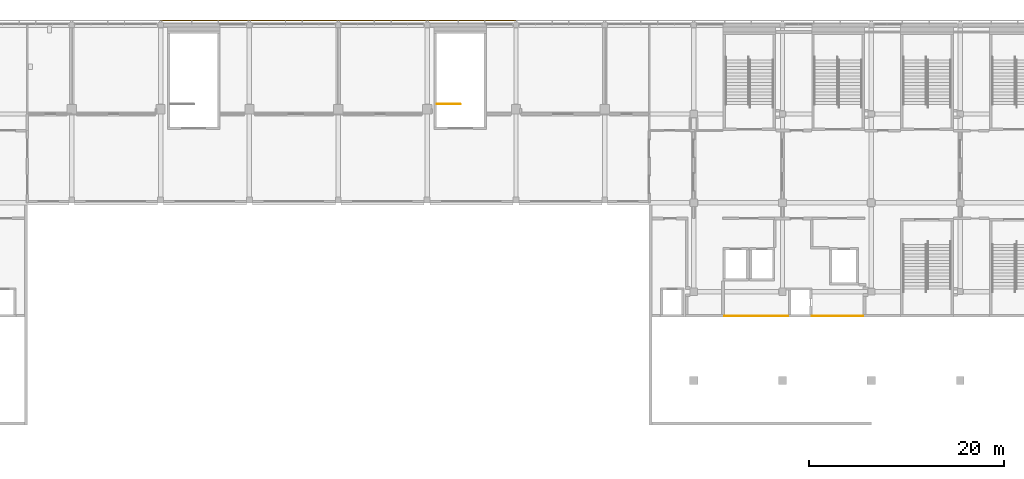
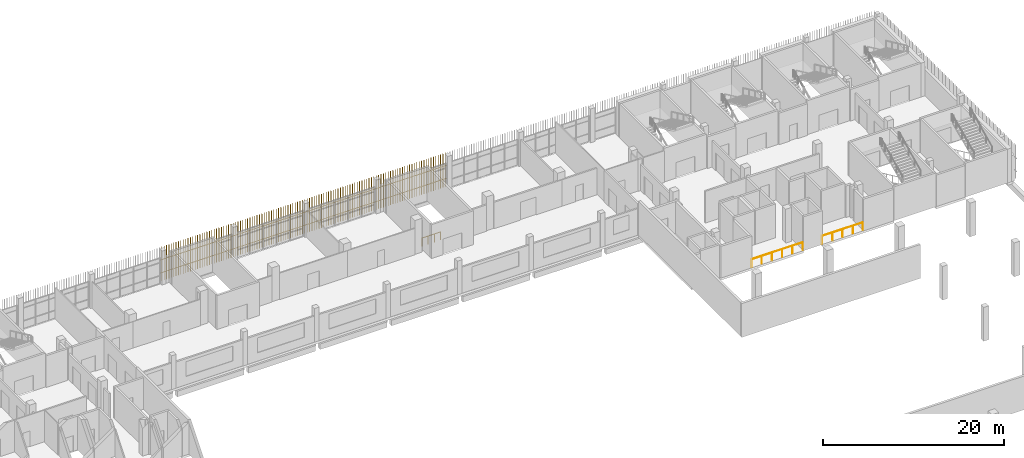
# One storey, part 97 of 104: 4 shading devices, 3 railings.
"""IFC4 building model written with IfcOpenShell, lengths in metres."""

from ifc_helpers import new_model, si_unit, direction, frame, origin, origin_2d, place, context, subcontext, project, spatial, rectangle, circle, extrude, material, type_object, element, save


model = new_model("IFC4")

# Units and contexts
model_context = context("Model", 3, precision=1e-05, world=origin(), true_north=direction((0.0, 1.0)))
body_context = subcontext(model_context, "Body", "Model", "MODEL_VIEW")
ifc_project = project(units=[si_unit("LENGTHUNIT", "METRE"), si_unit("AREAUNIT", "SQUARE_METRE"), si_unit("VOLUMEUNIT", "CUBIC_METRE"), si_unit("PLANEANGLEUNIT", "RADIAN"), si_unit("MASSUNIT", "GRAM", prefix="KILO")], contexts=[model_context])

# Site, building, storey
site_placement = place(None, origin())
site = spatial("IfcSite", under=ifc_project, at=site_placement, CompositionType="ELEMENT")
building_placement = place(site_placement, origin())
building = spatial("IfcBuilding", under=site, at=building_placement, Name="Shirokan Park Arena", CompositionType="ELEMENT")
storey_placement = place(building_placement, frame((0.0, 0.0, 10.919921875)))
storey = spatial("IfcBuildingStorey", under=building, at=storey_placement, Name="L02", CompositionType="ELEMENT", Elevation=10.919921875)

# Railings
ifc_material_1 = material(Name="Stainless steel", Category="steel")
railing_type_1 = type_object("IfcRailingType", Name="Concourse edge guard 1100", PredefinedType="GUARDRAIL", material=ifc_material_1)
railing_1_placement = place(storey_placement, frame((118.8701171875, 79.39990234375, 0.0)))
element("IfcRailing", 1, at=railing_1_placement, inside=storey, type_object=railing_type_1, Name="Edge guard L02 8", PredefinedType="GUARDRAIL", context=body_context, shape_type="SweptSolid", body=[
    extrude(circle(Radius=0.02490234375, at=origin_2d()), frame((0.0, 0.0, 1.0771484375), z_axis=(-1.0, 0.0, 0.0), x_axis=(0.0, -1.0, 0.0)), (0.0, 0.0, 1.0), 6.53271484375),
    extrude(circle(Radius=0.02490234375, at=origin_2d()), origin(), (0.0, 0.0, 1.0), 1.052001953125),
    extrude(circle(Radius=0.02490234375, at=origin_2d()), frame((-1.306640625, 0.0, 0.0)), (0.0, 0.0, 1.0), 1.052001953125),
    extrude(circle(Radius=0.02490234375, at=origin_2d()), frame((-2.613037109375, 0.0, 0.0)), (0.0, 0.0, 1.0), 1.052001953125),
    extrude(circle(Radius=0.02490234375, at=origin_2d()), frame((-3.919677734375, 0.0, 0.0)), (0.0, 0.0, 1.0), 1.052001953125),
    extrude(circle(Radius=0.02490234375, at=origin_2d()), frame((-5.22607421875, 0.0, 0.0)), (0.0, 0.0, 1.0), 1.052001953125),
    extrude(circle(Radius=0.02490234375, at=origin_2d()), frame((-6.53271484375, 0.0, 0.0)), (0.0, 0.0, 1.0), 1.052001953125),
])
railing_2_placement = place(storey_placement, frame((126.5625, 79.39990234375, 0.0)))
element("IfcRailing", 2, at=railing_2_placement, inside=storey, type_object=railing_type_1, Name="Edge guard L02 10", PredefinedType="GUARDRAIL", context=body_context, shape_type="SweptSolid", body=[
    extrude(circle(Radius=0.02490234375, at=origin_2d()), frame((0.0, 0.0, 1.0771484375), z_axis=(-1.0, 0.0, 0.0), x_axis=(0.0, -1.0, 0.0)), (0.0, 0.0, 1.0), 5.232421875),
    extrude(circle(Radius=0.02490234375, at=origin_2d()), origin(), (0.0, 0.0, 1.0), 1.052001953125),
    extrude(circle(Radius=0.02490234375, at=origin_2d()), frame((-1.30810546875, 0.0, 0.0)), (0.0, 0.0, 1.0), 1.052001953125),
    extrude(circle(Radius=0.02490234375, at=origin_2d()), frame((-2.6162109375, 0.0, 0.0)), (0.0, 0.0, 1.0), 1.052001953125),
    extrude(circle(Radius=0.02490234375, at=origin_2d()), frame((-3.92431640625, 0.0, 0.0)), (0.0, 0.0, 1.0), 1.052001953125),
    extrude(circle(Radius=0.02490234375, at=origin_2d()), frame((-5.232421875, 0.0, 0.0)), (0.0, 0.0, 1.0), 1.052001953125),
])
railing_type_2 = type_object("IfcRailingType", Name="Stair well guard 1100", PredefinedType="GUARDRAIL", material=ifc_material_1)
railing_3_placement = place(storey_placement, frame((82.89990234375, 101.10009765625, 0.0)))
element("IfcRailing", 3, at=railing_3_placement, inside=storey, type_object=railing_type_2, Name="Guard Entrance Stair E4.2 L02", PredefinedType="GUARDRAIL", context=body_context, shape_type="SweptSolid", body=[
    extrude(circle(Radius=0.02490234375, at=origin_2d()), frame((0.0, 0.0, 1.0771484375), z_axis=(1.0, 0.0, 0.0), x_axis=(0.0, 1.0, 0.0)), (0.0, 0.0, 1.0), 2.400146484375),
    extrude(circle(Radius=0.02490234375, at=origin_2d()), origin(), (0.0, 0.0, 1.0), 1.052001953125),
    extrude(circle(Radius=0.02490234375, at=origin_2d()), frame((0.800048828125, 0.0, 0.0)), (0.0, 0.0, 1.0), 1.052001953125),
    extrude(circle(Radius=0.02490234375, at=origin_2d()), frame((1.60009765625, 0.0, 0.0)), (0.0, 0.0, 1.0), 1.052001953125),
    extrude(circle(Radius=0.02490234375, at=origin_2d()), frame((2.400146484375, 0.0, 0.0)), (0.0, 0.0, 1.0), 1.052001953125),
])

# Shading devices
ifc_material_2 = material(Name="Timber louvre veil (cedar)", Category="wood")
shading_device_type = type_object("IfcShadingDeviceType", Name="Timber louvre veil panel", PredefinedType="JALOUSIE", material=ifc_material_2)
shading_device_1_placement = place(storey_placement, origin())
element("IfcShadingDevice", 4, at=shading_device_1_placement, inside=storey, type_object=shading_device_type, Name="Timber louvre veil north bay 7 L02", PredefinedType="JALOUSIE", context=body_context, shape_type="SweptSolid", body=[
    extrude(rectangle(XDim=0.050048828125, YDim=0.080078125, at=origin_2d()), frame((90.848388671875, 109.68505859375, 0.0), z_axis=(0.0, 0.0, 1.0), x_axis=(-1.0, 0.0, 0.0)), (0.0, 0.0, 1.0), 4.550048828125),
    extrude(rectangle(XDim=0.050048828125, YDim=0.080078125, at=origin_2d()), frame((90.544921875, 109.68505859375, 0.0), z_axis=(0.0, 0.0, 1.0), x_axis=(-1.0, 0.0, 0.0)), (0.0, 0.0, 1.0), 4.550048828125),
    extrude(rectangle(XDim=0.050048828125, YDim=0.080078125, at=origin_2d()), frame((90.24169921875, 109.68505859375, 0.0), z_axis=(0.0, 0.0, 1.0), x_axis=(-1.0, 0.0, 0.0)), (0.0, 0.0, 1.0), 4.550048828125),
    extrude(rectangle(XDim=0.050048828125, YDim=0.080078125, at=origin_2d()), frame((89.938232421875, 109.68505859375, 0.0), z_axis=(0.0, 0.0, 1.0), x_axis=(-1.0, 0.0, 0.0)), (0.0, 0.0, 1.0), 4.550048828125),
    extrude(rectangle(XDim=0.050048828125, YDim=0.080078125, at=origin_2d()), frame((89.635009765625, 109.68505859375, 0.0), z_axis=(0.0, 0.0, 1.0), x_axis=(-1.0, 0.0, 0.0)), (0.0, 0.0, 1.0), 4.550048828125),
    extrude(rectangle(XDim=0.050048828125, YDim=0.080078125, at=origin_2d()), frame((89.331787109375, 109.68505859375, 0.0), z_axis=(0.0, 0.0, 1.0), x_axis=(-1.0, 0.0, 0.0)), (0.0, 0.0, 1.0), 4.550048828125),
    extrude(rectangle(XDim=0.050048828125, YDim=0.080078125, at=origin_2d()), frame((89.0283203125, 109.68505859375, 0.0), z_axis=(0.0, 0.0, 1.0), x_axis=(-1.0, 0.0, 0.0)), (0.0, 0.0, 1.0), 4.550048828125),
    extrude(rectangle(XDim=0.050048828125, YDim=0.080078125, at=origin_2d()), frame((88.72509765625, 109.68505859375, 0.0), z_axis=(0.0, 0.0, 1.0), x_axis=(-1.0, 0.0, 0.0)), (0.0, 0.0, 1.0), 4.550048828125),
    extrude(rectangle(XDim=0.050048828125, YDim=0.080078125, at=origin_2d()), frame((88.421630859375, 109.68505859375, 0.0), z_axis=(0.0, 0.0, 1.0), x_axis=(-1.0, 0.0, 0.0)), (0.0, 0.0, 1.0), 4.550048828125),
    extrude(rectangle(XDim=0.050048828125, YDim=0.080078125, at=origin_2d()), frame((88.118408203125, 109.68505859375, 0.0), z_axis=(0.0, 0.0, 1.0), x_axis=(-1.0, 0.0, 0.0)), (0.0, 0.0, 1.0), 4.550048828125),
    extrude(rectangle(XDim=0.050048828125, YDim=0.080078125, at=origin_2d()), frame((87.81494140625, 109.68505859375, 0.0), z_axis=(0.0, 0.0, 1.0), x_axis=(-1.0, 0.0, 0.0)), (0.0, 0.0, 1.0), 4.550048828125),
    extrude(rectangle(XDim=0.050048828125, YDim=0.080078125, at=origin_2d()), frame((87.51171875, 109.68505859375, 0.0), z_axis=(0.0, 0.0, 1.0), x_axis=(-1.0, 0.0, 0.0)), (0.0, 0.0, 1.0), 4.550048828125),
    extrude(rectangle(XDim=0.050048828125, YDim=0.080078125, at=origin_2d()), frame((87.208251953125, 109.68505859375, 0.0), z_axis=(0.0, 0.0, 1.0), x_axis=(-1.0, 0.0, 0.0)), (0.0, 0.0, 1.0), 4.550048828125),
    extrude(rectangle(XDim=0.050048828125, YDim=0.080078125, at=origin_2d()), frame((86.905029296875, 109.68505859375, 0.0), z_axis=(0.0, 0.0, 1.0), x_axis=(-1.0, 0.0, 0.0)), (0.0, 0.0, 1.0), 4.550048828125),
    extrude(rectangle(XDim=0.050048828125, YDim=0.080078125, at=origin_2d()), frame((86.6015625, 109.68505859375, 0.0), z_axis=(0.0, 0.0, 1.0), x_axis=(-1.0, 0.0, 0.0)), (0.0, 0.0, 1.0), 4.550048828125),
    extrude(rectangle(XDim=0.050048828125, YDim=0.080078125, at=origin_2d()), frame((86.29833984375, 109.68505859375, 0.0), z_axis=(0.0, 0.0, 1.0), x_axis=(-1.0, 0.0, 0.0)), (0.0, 0.0, 1.0), 4.550048828125),
    extrude(rectangle(XDim=0.050048828125, YDim=0.080078125, at=origin_2d()), frame((85.9951171875, 109.68505859375, 0.0), z_axis=(0.0, 0.0, 1.0), x_axis=(-1.0, 0.0, 0.0)), (0.0, 0.0, 1.0), 4.550048828125),
    extrude(rectangle(XDim=0.050048828125, YDim=0.080078125, at=origin_2d()), frame((85.691650390625, 109.68505859375, 0.0), z_axis=(0.0, 0.0, 1.0), x_axis=(-1.0, 0.0, 0.0)), (0.0, 0.0, 1.0), 4.550048828125),
    extrude(rectangle(XDim=0.050048828125, YDim=0.080078125, at=origin_2d()), frame((85.388427734375, 109.68505859375, 0.0), z_axis=(0.0, 0.0, 1.0), x_axis=(-1.0, 0.0, 0.0)), (0.0, 0.0, 1.0), 4.550048828125),
    extrude(rectangle(XDim=0.050048828125, YDim=0.080078125, at=origin_2d()), frame((85.0849609375, 109.68505859375, 0.0), z_axis=(0.0, 0.0, 1.0), x_axis=(-1.0, 0.0, 0.0)), (0.0, 0.0, 1.0), 4.550048828125),
    extrude(rectangle(XDim=0.050048828125, YDim=0.080078125, at=origin_2d()), frame((84.78173828125, 109.68505859375, 0.0), z_axis=(0.0, 0.0, 1.0), x_axis=(-1.0, 0.0, 0.0)), (0.0, 0.0, 1.0), 4.550048828125),
    extrude(rectangle(XDim=0.050048828125, YDim=0.080078125, at=origin_2d()), frame((84.478271484375, 109.68505859375, 0.0), z_axis=(0.0, 0.0, 1.0), x_axis=(-1.0, 0.0, 0.0)), (0.0, 0.0, 1.0), 4.550048828125),
    extrude(rectangle(XDim=0.050048828125, YDim=0.080078125, at=origin_2d()), frame((84.175048828125, 109.68505859375, 0.0), z_axis=(0.0, 0.0, 1.0), x_axis=(-1.0, 0.0, 0.0)), (0.0, 0.0, 1.0), 4.550048828125),
    extrude(rectangle(XDim=0.050048828125, YDim=0.080078125, at=origin_2d()), frame((83.87158203125, 109.68505859375, 0.0), z_axis=(0.0, 0.0, 1.0), x_axis=(-1.0, 0.0, 0.0)), (0.0, 0.0, 1.0), 4.550048828125),
    extrude(rectangle(XDim=0.050048828125, YDim=0.080078125, at=origin_2d()), frame((83.568359375, 109.68505859375, 0.0), z_axis=(0.0, 0.0, 1.0), x_axis=(-1.0, 0.0, 0.0)), (0.0, 0.0, 1.0), 4.550048828125),
    extrude(rectangle(XDim=0.050048828125, YDim=0.080078125, at=origin_2d()), frame((83.264892578125, 109.68505859375, 0.0), z_axis=(0.0, 0.0, 1.0), x_axis=(-1.0, 0.0, 0.0)), (0.0, 0.0, 1.0), 4.550048828125),
    extrude(rectangle(XDim=0.050048828125, YDim=0.080078125, at=origin_2d()), frame((82.961669921875, 109.68505859375, 0.0), z_axis=(0.0, 0.0, 1.0), x_axis=(-1.0, 0.0, 0.0)), (0.0, 0.0, 1.0), 4.550048828125),
    extrude(rectangle(XDim=0.050048828125, YDim=0.080078125, at=origin_2d()), frame((82.658447265625, 109.68505859375, 0.0), z_axis=(0.0, 0.0, 1.0), x_axis=(-1.0, 0.0, 0.0)), (0.0, 0.0, 1.0), 4.550048828125),
    extrude(rectangle(XDim=0.050048828125, YDim=0.080078125, at=origin_2d()), frame((82.35498046875, 109.68505859375, 0.0), z_axis=(0.0, 0.0, 1.0), x_axis=(-1.0, 0.0, 0.0)), (0.0, 0.0, 1.0), 4.550048828125),
    extrude(rectangle(XDim=0.050048828125, YDim=0.080078125, at=origin_2d()), frame((82.0517578125, 109.68505859375, 0.0), z_axis=(0.0, 0.0, 1.0), x_axis=(-1.0, 0.0, 0.0)), (0.0, 0.0, 1.0), 4.550048828125),
    extrude(rectangle(XDim=9.10009765625, YDim=0.050048828125, at=origin_2d()), frame((86.449951171875, 109.669921875, 1.06005859375), z_axis=(0.0, 0.0, 1.0), x_axis=(-1.0, 0.0, 0.0)), (0.0, 0.0, 1.0), 0.080078125),
    extrude(rectangle(XDim=9.10009765625, YDim=0.050048828125, at=origin_2d()), frame((86.449951171875, 109.669921875, 2.81005859375), z_axis=(0.0, 0.0, 1.0), x_axis=(-1.0, 0.0, 0.0)), (0.0, 0.0, 1.0), 0.080078125),
])
shading_device_2_placement = place(storey_placement, origin())
element("IfcShadingDevice", 5, at=shading_device_2_placement, inside=storey, type_object=shading_device_type, Name="Timber louvre veil north bay 8 L02", PredefinedType="JALOUSIE", context=body_context, shape_type="SweptSolid", body=[
    extrude(rectangle(XDim=0.050048828125, YDim=0.080078125, at=origin_2d()), frame((81.748291015625, 109.68505859375, 0.0), z_axis=(0.0, 0.0, 1.0), x_axis=(-1.0, 0.0, 0.0)), (0.0, 0.0, 1.0), 4.550048828125),
    extrude(rectangle(XDim=0.050048828125, YDim=0.080078125, at=origin_2d()), frame((81.445068359375, 109.68505859375, 0.0), z_axis=(0.0, 0.0, 1.0), x_axis=(-1.0, 0.0, 0.0)), (0.0, 0.0, 1.0), 4.550048828125),
    extrude(rectangle(XDim=0.050048828125, YDim=0.080078125, at=origin_2d()), frame((81.1416015625, 109.68505859375, 0.0), z_axis=(0.0, 0.0, 1.0), x_axis=(-1.0, 0.0, 0.0)), (0.0, 0.0, 1.0), 4.550048828125),
    extrude(rectangle(XDim=0.050048828125, YDim=0.080078125, at=origin_2d()), frame((80.83837890625, 109.68505859375, 0.0), z_axis=(0.0, 0.0, 1.0), x_axis=(-1.0, 0.0, 0.0)), (0.0, 0.0, 1.0), 4.550048828125),
    extrude(rectangle(XDim=0.050048828125, YDim=0.080078125, at=origin_2d()), frame((80.534912109375, 109.68505859375, 0.0), z_axis=(0.0, 0.0, 1.0), x_axis=(-1.0, 0.0, 0.0)), (0.0, 0.0, 1.0), 4.550048828125),
    extrude(rectangle(XDim=0.050048828125, YDim=0.080078125, at=origin_2d()), frame((80.231689453125, 109.68505859375, 0.0), z_axis=(0.0, 0.0, 1.0), x_axis=(-1.0, 0.0, 0.0)), (0.0, 0.0, 1.0), 4.550048828125),
    extrude(rectangle(XDim=0.050048828125, YDim=0.080078125, at=origin_2d()), frame((79.92822265625, 109.68505859375, 0.0), z_axis=(0.0, 0.0, 1.0), x_axis=(-1.0, 0.0, 0.0)), (0.0, 0.0, 1.0), 4.550048828125),
    extrude(rectangle(XDim=0.050048828125, YDim=0.080078125, at=origin_2d()), frame((79.625, 109.68505859375, 0.0), z_axis=(0.0, 0.0, 1.0), x_axis=(-1.0, 0.0, 0.0)), (0.0, 0.0, 1.0), 4.550048828125),
    extrude(rectangle(XDim=0.050048828125, YDim=0.080078125, at=origin_2d()), frame((79.32177734375, 109.68505859375, 0.0), z_axis=(0.0, 0.0, 1.0), x_axis=(-1.0, 0.0, 0.0)), (0.0, 0.0, 1.0), 4.550048828125),
    extrude(rectangle(XDim=0.050048828125, YDim=0.080078125, at=origin_2d()), frame((79.018310546875, 109.68505859375, 0.0), z_axis=(0.0, 0.0, 1.0), x_axis=(-1.0, 0.0, 0.0)), (0.0, 0.0, 1.0), 4.550048828125),
    extrude(rectangle(XDim=0.050048828125, YDim=0.080078125, at=origin_2d()), frame((78.715087890625, 109.68505859375, 0.0), z_axis=(0.0, 0.0, 1.0), x_axis=(-1.0, 0.0, 0.0)), (0.0, 0.0, 1.0), 4.550048828125),
    extrude(rectangle(XDim=0.050048828125, YDim=0.080078125, at=origin_2d()), frame((78.41162109375, 109.68505859375, 0.0), z_axis=(0.0, 0.0, 1.0), x_axis=(-1.0, 0.0, 0.0)), (0.0, 0.0, 1.0), 4.550048828125),
    extrude(rectangle(XDim=0.050048828125, YDim=0.080078125, at=origin_2d()), frame((78.1083984375, 109.68505859375, 0.0), z_axis=(0.0, 0.0, 1.0), x_axis=(-1.0, 0.0, 0.0)), (0.0, 0.0, 1.0), 4.550048828125),
    extrude(rectangle(XDim=0.050048828125, YDim=0.080078125, at=origin_2d()), frame((77.804931640625, 109.68505859375, 0.0), z_axis=(0.0, 0.0, 1.0), x_axis=(-1.0, 0.0, 0.0)), (0.0, 0.0, 1.0), 4.550048828125),
    extrude(rectangle(XDim=0.050048828125, YDim=0.080078125, at=origin_2d()), frame((77.501708984375, 109.68505859375, 0.0), z_axis=(0.0, 0.0, 1.0), x_axis=(-1.0, 0.0, 0.0)), (0.0, 0.0, 1.0), 4.550048828125),
    extrude(rectangle(XDim=0.050048828125, YDim=0.080078125, at=origin_2d()), frame((77.1982421875, 109.68505859375, 0.0), z_axis=(0.0, 0.0, 1.0), x_axis=(-1.0, 0.0, 0.0)), (0.0, 0.0, 1.0), 4.550048828125),
    extrude(rectangle(XDim=0.050048828125, YDim=0.080078125, at=origin_2d()), frame((76.89501953125, 109.68505859375, 0.0), z_axis=(0.0, 0.0, 1.0), x_axis=(-1.0, 0.0, 0.0)), (0.0, 0.0, 1.0), 4.550048828125),
    extrude(rectangle(XDim=0.050048828125, YDim=0.080078125, at=origin_2d()), frame((76.591552734375, 109.68505859375, 0.0), z_axis=(0.0, 0.0, 1.0), x_axis=(-1.0, 0.0, 0.0)), (0.0, 0.0, 1.0), 4.550048828125),
    extrude(rectangle(XDim=0.050048828125, YDim=0.080078125, at=origin_2d()), frame((76.288330078125, 109.68505859375, 0.0), z_axis=(0.0, 0.0, 1.0), x_axis=(-1.0, 0.0, 0.0)), (0.0, 0.0, 1.0), 4.550048828125),
    extrude(rectangle(XDim=0.050048828125, YDim=0.080078125, at=origin_2d()), frame((75.985107421875, 109.68505859375, 0.0), z_axis=(0.0, 0.0, 1.0), x_axis=(-1.0, 0.0, 0.0)), (0.0, 0.0, 1.0), 4.550048828125),
    extrude(rectangle(XDim=0.050048828125, YDim=0.080078125, at=origin_2d()), frame((75.681640625, 109.68505859375, 0.0), z_axis=(0.0, 0.0, 1.0), x_axis=(-1.0, 0.0, 0.0)), (0.0, 0.0, 1.0), 4.550048828125),
    extrude(rectangle(XDim=0.050048828125, YDim=0.080078125, at=origin_2d()), frame((75.37841796875, 109.68505859375, 0.0), z_axis=(0.0, 0.0, 1.0), x_axis=(-1.0, 0.0, 0.0)), (0.0, 0.0, 1.0), 4.550048828125),
    extrude(rectangle(XDim=0.050048828125, YDim=0.080078125, at=origin_2d()), frame((75.074951171875, 109.68505859375, 0.0), z_axis=(0.0, 0.0, 1.0), x_axis=(-1.0, 0.0, 0.0)), (0.0, 0.0, 1.0), 4.550048828125),
    extrude(rectangle(XDim=0.050048828125, YDim=0.080078125, at=origin_2d()), frame((74.771728515625, 109.68505859375, 0.0), z_axis=(0.0, 0.0, 1.0), x_axis=(-1.0, 0.0, 0.0)), (0.0, 0.0, 1.0), 4.550048828125),
    extrude(rectangle(XDim=0.050048828125, YDim=0.080078125, at=origin_2d()), frame((74.46826171875, 109.68505859375, 0.0), z_axis=(0.0, 0.0, 1.0), x_axis=(-1.0, 0.0, 0.0)), (0.0, 0.0, 1.0), 4.550048828125),
    extrude(rectangle(XDim=0.050048828125, YDim=0.080078125, at=origin_2d()), frame((74.1650390625, 109.68505859375, 0.0), z_axis=(0.0, 0.0, 1.0), x_axis=(-1.0, 0.0, 0.0)), (0.0, 0.0, 1.0), 4.550048828125),
    extrude(rectangle(XDim=0.050048828125, YDim=0.080078125, at=origin_2d()), frame((73.861572265625, 109.68505859375, 0.0), z_axis=(0.0, 0.0, 1.0), x_axis=(-1.0, 0.0, 0.0)), (0.0, 0.0, 1.0), 4.550048828125),
    extrude(rectangle(XDim=0.050048828125, YDim=0.080078125, at=origin_2d()), frame((73.558349609375, 109.68505859375, 0.0), z_axis=(0.0, 0.0, 1.0), x_axis=(-1.0, 0.0, 0.0)), (0.0, 0.0, 1.0), 4.550048828125),
    extrude(rectangle(XDim=0.050048828125, YDim=0.080078125, at=origin_2d()), frame((73.2548828125, 109.68505859375, 0.0), z_axis=(0.0, 0.0, 1.0), x_axis=(-1.0, 0.0, 0.0)), (0.0, 0.0, 1.0), 4.550048828125),
    extrude(rectangle(XDim=0.050048828125, YDim=0.080078125, at=origin_2d()), frame((72.95166015625, 109.68505859375, 0.0), z_axis=(0.0, 0.0, 1.0), x_axis=(-1.0, 0.0, 0.0)), (0.0, 0.0, 1.0), 4.550048828125),
    extrude(rectangle(XDim=9.10009765625, YDim=0.050048828125, at=origin_2d()), frame((77.35009765625, 109.669921875, 1.06005859375), z_axis=(0.0, 0.0, 1.0), x_axis=(-1.0, 0.0, 0.0)), (0.0, 0.0, 1.0), 0.080078125),
    extrude(rectangle(XDim=9.10009765625, YDim=0.050048828125, at=origin_2d()), frame((77.35009765625, 109.669921875, 2.81005859375), z_axis=(0.0, 0.0, 1.0), x_axis=(-1.0, 0.0, 0.0)), (0.0, 0.0, 1.0), 0.080078125),
])
shading_device_3_placement = place(storey_placement, origin())
element("IfcShadingDevice", 6, at=shading_device_3_placement, inside=storey, type_object=shading_device_type, Name="Timber louvre veil north bay 9 L02", PredefinedType="JALOUSIE", context=body_context, shape_type="SweptSolid", body=[
    extrude(rectangle(XDim=0.050048828125, YDim=0.080078125, at=origin_2d()), frame((72.6484375, 109.68505859375, 0.0), z_axis=(0.0, 0.0, 1.0), x_axis=(-1.0, 0.0, 0.0)), (0.0, 0.0, 1.0), 4.550048828125),
    extrude(rectangle(XDim=0.050048828125, YDim=0.080078125, at=origin_2d()), frame((72.344970703125, 109.68505859375, 0.0), z_axis=(0.0, 0.0, 1.0), x_axis=(-1.0, 0.0, 0.0)), (0.0, 0.0, 1.0), 4.550048828125),
    extrude(rectangle(XDim=0.050048828125, YDim=0.080078125, at=origin_2d()), frame((72.041748046875, 109.68505859375, 0.0), z_axis=(0.0, 0.0, 1.0), x_axis=(-1.0, 0.0, 0.0)), (0.0, 0.0, 1.0), 4.550048828125),
    extrude(rectangle(XDim=0.050048828125, YDim=0.080078125, at=origin_2d()), frame((71.73828125, 109.68505859375, 0.0), z_axis=(0.0, 0.0, 1.0), x_axis=(-1.0, 0.0, 0.0)), (0.0, 0.0, 1.0), 4.550048828125),
    extrude(rectangle(XDim=0.050048828125, YDim=0.080078125, at=origin_2d()), frame((71.43505859375, 109.68505859375, 0.0), z_axis=(0.0, 0.0, 1.0), x_axis=(-1.0, 0.0, 0.0)), (0.0, 0.0, 1.0), 4.550048828125),
    extrude(rectangle(XDim=0.050048828125, YDim=0.080078125, at=origin_2d()), frame((71.131591796875, 109.68505859375, 0.0), z_axis=(0.0, 0.0, 1.0), x_axis=(-1.0, 0.0, 0.0)), (0.0, 0.0, 1.0), 4.550048828125),
    extrude(rectangle(XDim=0.050048828125, YDim=0.080078125, at=origin_2d()), frame((70.828369140625, 109.68505859375, 0.0), z_axis=(0.0, 0.0, 1.0), x_axis=(-1.0, 0.0, 0.0)), (0.0, 0.0, 1.0), 4.550048828125),
    extrude(rectangle(XDim=0.050048828125, YDim=0.080078125, at=origin_2d()), frame((70.52490234375, 109.68505859375, 0.0), z_axis=(0.0, 0.0, 1.0), x_axis=(-1.0, 0.0, 0.0)), (0.0, 0.0, 1.0), 4.550048828125),
    extrude(rectangle(XDim=0.050048828125, YDim=0.080078125, at=origin_2d()), frame((70.2216796875, 109.68505859375, 0.0), z_axis=(0.0, 0.0, 1.0), x_axis=(-1.0, 0.0, 0.0)), (0.0, 0.0, 1.0), 4.550048828125),
    extrude(rectangle(XDim=0.050048828125, YDim=0.080078125, at=origin_2d()), frame((69.918212890625, 109.68505859375, 0.0), z_axis=(0.0, 0.0, 1.0), x_axis=(-1.0, 0.0, 0.0)), (0.0, 0.0, 1.0), 4.550048828125),
    extrude(rectangle(XDim=0.050048828125, YDim=0.080078125, at=origin_2d()), frame((69.614990234375, 109.68505859375, 0.0), z_axis=(0.0, 0.0, 1.0), x_axis=(-1.0, 0.0, 0.0)), (0.0, 0.0, 1.0), 4.550048828125),
    extrude(rectangle(XDim=0.050048828125, YDim=0.080078125, at=origin_2d()), frame((69.311767578125, 109.68505859375, 0.0), z_axis=(0.0, 0.0, 1.0), x_axis=(-1.0, 0.0, 0.0)), (0.0, 0.0, 1.0), 4.550048828125),
    extrude(rectangle(XDim=0.050048828125, YDim=0.080078125, at=origin_2d()), frame((69.00830078125, 109.68505859375, 0.0), z_axis=(0.0, 0.0, 1.0), x_axis=(-1.0, 0.0, 0.0)), (0.0, 0.0, 1.0), 4.550048828125),
    extrude(rectangle(XDim=0.050048828125, YDim=0.080078125, at=origin_2d()), frame((68.705078125, 109.68505859375, 0.0), z_axis=(0.0, 0.0, 1.0), x_axis=(-1.0, 0.0, 0.0)), (0.0, 0.0, 1.0), 4.550048828125),
    extrude(rectangle(XDim=0.050048828125, YDim=0.080078125, at=origin_2d()), frame((68.401611328125, 109.68505859375, 0.0), z_axis=(0.0, 0.0, 1.0), x_axis=(-1.0, 0.0, 0.0)), (0.0, 0.0, 1.0), 4.550048828125),
    extrude(rectangle(XDim=0.050048828125, YDim=0.080078125, at=origin_2d()), frame((68.098388671875, 109.68505859375, 0.0), z_axis=(0.0, 0.0, 1.0), x_axis=(-1.0, 0.0, 0.0)), (0.0, 0.0, 1.0), 4.550048828125),
    extrude(rectangle(XDim=0.050048828125, YDim=0.080078125, at=origin_2d()), frame((67.794921875, 109.68505859375, 0.0), z_axis=(0.0, 0.0, 1.0), x_axis=(-1.0, 0.0, 0.0)), (0.0, 0.0, 1.0), 4.550048828125),
    extrude(rectangle(XDim=0.050048828125, YDim=0.080078125, at=origin_2d()), frame((67.49169921875, 109.68505859375, 0.0), z_axis=(0.0, 0.0, 1.0), x_axis=(-1.0, 0.0, 0.0)), (0.0, 0.0, 1.0), 4.550048828125),
    extrude(rectangle(XDim=0.050048828125, YDim=0.080078125, at=origin_2d()), frame((67.188232421875, 109.68505859375, 0.0), z_axis=(0.0, 0.0, 1.0), x_axis=(-1.0, 0.0, 0.0)), (0.0, 0.0, 1.0), 4.550048828125),
    extrude(rectangle(XDim=0.050048828125, YDim=0.080078125, at=origin_2d()), frame((66.885009765625, 109.68505859375, 0.0), z_axis=(0.0, 0.0, 1.0), x_axis=(-1.0, 0.0, 0.0)), (0.0, 0.0, 1.0), 4.550048828125),
    extrude(rectangle(XDim=0.050048828125, YDim=0.080078125, at=origin_2d()), frame((66.581787109375, 109.68505859375, 0.0), z_axis=(0.0, 0.0, 1.0), x_axis=(-1.0, 0.0, 0.0)), (0.0, 0.0, 1.0), 4.550048828125),
    extrude(rectangle(XDim=0.050048828125, YDim=0.080078125, at=origin_2d()), frame((66.2783203125, 109.68505859375, 0.0), z_axis=(0.0, 0.0, 1.0), x_axis=(-1.0, 0.0, 0.0)), (0.0, 0.0, 1.0), 4.550048828125),
    extrude(rectangle(XDim=0.050048828125, YDim=0.080078125, at=origin_2d()), frame((65.97509765625, 109.68505859375, 0.0), z_axis=(0.0, 0.0, 1.0), x_axis=(-1.0, 0.0, 0.0)), (0.0, 0.0, 1.0), 4.550048828125),
    extrude(rectangle(XDim=0.050048828125, YDim=0.080078125, at=origin_2d()), frame((65.671630859375, 109.68505859375, 0.0), z_axis=(0.0, 0.0, 1.0), x_axis=(-1.0, 0.0, 0.0)), (0.0, 0.0, 1.0), 4.550048828125),
    extrude(rectangle(XDim=0.050048828125, YDim=0.080078125, at=origin_2d()), frame((65.368408203125, 109.68505859375, 0.0), z_axis=(0.0, 0.0, 1.0), x_axis=(-1.0, 0.0, 0.0)), (0.0, 0.0, 1.0), 4.550048828125),
    extrude(rectangle(XDim=0.050048828125, YDim=0.080078125, at=origin_2d()), frame((65.06494140625, 109.68505859375, 0.0), z_axis=(0.0, 0.0, 1.0), x_axis=(-1.0, 0.0, 0.0)), (0.0, 0.0, 1.0), 4.550048828125),
    extrude(rectangle(XDim=0.050048828125, YDim=0.080078125, at=origin_2d()), frame((64.76171875, 109.68505859375, 0.0), z_axis=(0.0, 0.0, 1.0), x_axis=(-1.0, 0.0, 0.0)), (0.0, 0.0, 1.0), 4.550048828125),
    extrude(rectangle(XDim=0.050048828125, YDim=0.080078125, at=origin_2d()), frame((64.458251953125, 109.68505859375, 0.0), z_axis=(0.0, 0.0, 1.0), x_axis=(-1.0, 0.0, 0.0)), (0.0, 0.0, 1.0), 4.550048828125),
    extrude(rectangle(XDim=0.050048828125, YDim=0.080078125, at=origin_2d()), frame((64.155029296875, 109.68505859375, 0.0), z_axis=(0.0, 0.0, 1.0), x_axis=(-1.0, 0.0, 0.0)), (0.0, 0.0, 1.0), 4.550048828125),
    extrude(rectangle(XDim=0.050048828125, YDim=0.080078125, at=origin_2d()), frame((63.8515625, 109.68505859375, 0.0), z_axis=(0.0, 0.0, 1.0), x_axis=(-1.0, 0.0, 0.0)), (0.0, 0.0, 1.0), 4.550048828125),
    extrude(rectangle(XDim=9.10009765625, YDim=0.050048828125, at=origin_2d()), frame((68.25, 109.669921875, 1.06005859375), z_axis=(0.0, 0.0, 1.0), x_axis=(-1.0, 0.0, 0.0)), (0.0, 0.0, 1.0), 0.080078125),
    extrude(rectangle(XDim=9.10009765625, YDim=0.050048828125, at=origin_2d()), frame((68.25, 109.669921875, 2.81005859375), z_axis=(0.0, 0.0, 1.0), x_axis=(-1.0, 0.0, 0.0)), (0.0, 0.0, 1.0), 0.080078125),
])
shading_device_4_placement = place(storey_placement, origin())
element("IfcShadingDevice", 7, at=shading_device_4_placement, inside=storey, type_object=shading_device_type, Name="Timber louvre veil north bay 10 L02", PredefinedType="JALOUSIE", context=body_context, shape_type="SweptSolid", body=[
    extrude(rectangle(XDim=0.050048828125, YDim=0.080078125, at=origin_2d()), frame((63.54833984375, 109.68505859375, 0.0), z_axis=(0.0, 0.0, 1.0), x_axis=(-1.0, 0.0, 0.0)), (0.0, 0.0, 1.0), 4.550048828125),
    extrude(rectangle(XDim=0.050048828125, YDim=0.080078125, at=origin_2d()), frame((63.2451171875, 109.68505859375, 0.0), z_axis=(0.0, 0.0, 1.0), x_axis=(-1.0, 0.0, 0.0)), (0.0, 0.0, 1.0), 4.550048828125),
    extrude(rectangle(XDim=0.050048828125, YDim=0.080078125, at=origin_2d()), frame((62.941650390625, 109.68505859375, 0.0), z_axis=(0.0, 0.0, 1.0), x_axis=(-1.0, 0.0, 0.0)), (0.0, 0.0, 1.0), 4.550048828125),
    extrude(rectangle(XDim=0.050048828125, YDim=0.080078125, at=origin_2d()), frame((62.638427734375, 109.68505859375, 0.0), z_axis=(0.0, 0.0, 1.0), x_axis=(-1.0, 0.0, 0.0)), (0.0, 0.0, 1.0), 4.550048828125),
    extrude(rectangle(XDim=0.050048828125, YDim=0.080078125, at=origin_2d()), frame((62.3349609375, 109.68505859375, 0.0), z_axis=(0.0, 0.0, 1.0), x_axis=(-1.0, 0.0, 0.0)), (0.0, 0.0, 1.0), 4.550048828125),
    extrude(rectangle(XDim=0.050048828125, YDim=0.080078125, at=origin_2d()), frame((62.03173828125, 109.68505859375, 0.0), z_axis=(0.0, 0.0, 1.0), x_axis=(-1.0, 0.0, 0.0)), (0.0, 0.0, 1.0), 4.550048828125),
    extrude(rectangle(XDim=0.050048828125, YDim=0.080078125, at=origin_2d()), frame((61.728271484375, 109.68505859375, 0.0), z_axis=(0.0, 0.0, 1.0), x_axis=(-1.0, 0.0, 0.0)), (0.0, 0.0, 1.0), 4.550048828125),
    extrude(rectangle(XDim=0.050048828125, YDim=0.080078125, at=origin_2d()), frame((61.425048828125, 109.68505859375, 0.0), z_axis=(0.0, 0.0, 1.0), x_axis=(-1.0, 0.0, 0.0)), (0.0, 0.0, 1.0), 4.550048828125),
    extrude(rectangle(XDim=0.050048828125, YDim=0.080078125, at=origin_2d()), frame((61.12158203125, 109.68505859375, 0.0), z_axis=(0.0, 0.0, 1.0), x_axis=(-1.0, 0.0, 0.0)), (0.0, 0.0, 1.0), 4.550048828125),
    extrude(rectangle(XDim=0.050048828125, YDim=0.080078125, at=origin_2d()), frame((60.818359375, 109.68505859375, 0.0), z_axis=(0.0, 0.0, 1.0), x_axis=(-1.0, 0.0, 0.0)), (0.0, 0.0, 1.0), 4.550048828125),
    extrude(rectangle(XDim=0.050048828125, YDim=0.080078125, at=origin_2d()), frame((60.514892578125, 109.68505859375, 0.0), z_axis=(0.0, 0.0, 1.0), x_axis=(-1.0, 0.0, 0.0)), (0.0, 0.0, 1.0), 4.550048828125),
    extrude(rectangle(XDim=0.050048828125, YDim=0.080078125, at=origin_2d()), frame((60.211669921875, 109.68505859375, 0.0), z_axis=(0.0, 0.0, 1.0), x_axis=(-1.0, 0.0, 0.0)), (0.0, 0.0, 1.0), 4.550048828125),
    extrude(rectangle(XDim=0.050048828125, YDim=0.080078125, at=origin_2d()), frame((59.908447265625, 109.68505859375, 0.0), z_axis=(0.0, 0.0, 1.0), x_axis=(-1.0, 0.0, 0.0)), (0.0, 0.0, 1.0), 4.550048828125),
    extrude(rectangle(XDim=0.050048828125, YDim=0.080078125, at=origin_2d()), frame((59.60498046875, 109.68505859375, 0.0), z_axis=(0.0, 0.0, 1.0), x_axis=(-1.0, 0.0, 0.0)), (0.0, 0.0, 1.0), 4.550048828125),
    extrude(rectangle(XDim=0.050048828125, YDim=0.080078125, at=origin_2d()), frame((59.3017578125, 109.68505859375, 0.0), z_axis=(0.0, 0.0, 1.0), x_axis=(-1.0, 0.0, 0.0)), (0.0, 0.0, 1.0), 4.550048828125),
    extrude(rectangle(XDim=0.050048828125, YDim=0.080078125, at=origin_2d()), frame((58.998291015625, 109.68505859375, 0.0), z_axis=(0.0, 0.0, 1.0), x_axis=(-1.0, 0.0, 0.0)), (0.0, 0.0, 1.0), 4.550048828125),
    extrude(rectangle(XDim=0.050048828125, YDim=0.080078125, at=origin_2d()), frame((58.695068359375, 109.68505859375, 0.0), z_axis=(0.0, 0.0, 1.0), x_axis=(-1.0, 0.0, 0.0)), (0.0, 0.0, 1.0), 4.550048828125),
    extrude(rectangle(XDim=0.050048828125, YDim=0.080078125, at=origin_2d()), frame((58.3916015625, 109.68505859375, 0.0), z_axis=(0.0, 0.0, 1.0), x_axis=(-1.0, 0.0, 0.0)), (0.0, 0.0, 1.0), 4.550048828125),
    extrude(rectangle(XDim=0.050048828125, YDim=0.080078125, at=origin_2d()), frame((58.08837890625, 109.68505859375, 0.0), z_axis=(0.0, 0.0, 1.0), x_axis=(-1.0, 0.0, 0.0)), (0.0, 0.0, 1.0), 4.550048828125),
    extrude(rectangle(XDim=0.050048828125, YDim=0.080078125, at=origin_2d()), frame((57.784912109375, 109.68505859375, 0.0), z_axis=(0.0, 0.0, 1.0), x_axis=(-1.0, 0.0, 0.0)), (0.0, 0.0, 1.0), 4.550048828125),
    extrude(rectangle(XDim=0.050048828125, YDim=0.080078125, at=origin_2d()), frame((57.481689453125, 109.68505859375, 0.0), z_axis=(0.0, 0.0, 1.0), x_axis=(-1.0, 0.0, 0.0)), (0.0, 0.0, 1.0), 4.550048828125),
    extrude(rectangle(XDim=0.050048828125, YDim=0.080078125, at=origin_2d()), frame((57.17822265625, 109.68505859375, 0.0), z_axis=(0.0, 0.0, 1.0), x_axis=(-1.0, 0.0, 0.0)), (0.0, 0.0, 1.0), 4.550048828125),
    extrude(rectangle(XDim=0.050048828125, YDim=0.080078125, at=origin_2d()), frame((56.875, 109.68505859375, 0.0), z_axis=(0.0, 0.0, 1.0), x_axis=(-1.0, 0.0, 0.0)), (0.0, 0.0, 1.0), 4.550048828125),
    extrude(rectangle(XDim=0.050048828125, YDim=0.080078125, at=origin_2d()), frame((56.57177734375, 109.68505859375, 0.0), z_axis=(0.0, 0.0, 1.0), x_axis=(-1.0, 0.0, 0.0)), (0.0, 0.0, 1.0), 4.550048828125),
    extrude(rectangle(XDim=0.050048828125, YDim=0.080078125, at=origin_2d()), frame((56.268310546875, 109.68505859375, 0.0), z_axis=(0.0, 0.0, 1.0), x_axis=(-1.0, 0.0, 0.0)), (0.0, 0.0, 1.0), 4.550048828125),
    extrude(rectangle(XDim=0.050048828125, YDim=0.080078125, at=origin_2d()), frame((55.965087890625, 109.68505859375, 0.0), z_axis=(0.0, 0.0, 1.0), x_axis=(-1.0, 0.0, 0.0)), (0.0, 0.0, 1.0), 4.550048828125),
    extrude(rectangle(XDim=0.050048828125, YDim=0.080078125, at=origin_2d()), frame((55.66162109375, 109.68505859375, 0.0), z_axis=(0.0, 0.0, 1.0), x_axis=(-1.0, 0.0, 0.0)), (0.0, 0.0, 1.0), 4.550048828125),
    extrude(rectangle(XDim=0.050048828125, YDim=0.080078125, at=origin_2d()), frame((55.3583984375, 109.68505859375, 0.0), z_axis=(0.0, 0.0, 1.0), x_axis=(-1.0, 0.0, 0.0)), (0.0, 0.0, 1.0), 4.550048828125),
    extrude(rectangle(XDim=0.050048828125, YDim=0.080078125, at=origin_2d()), frame((55.054931640625, 109.68505859375, 0.0), z_axis=(0.0, 0.0, 1.0), x_axis=(-1.0, 0.0, 0.0)), (0.0, 0.0, 1.0), 4.550048828125),
    extrude(rectangle(XDim=0.050048828125, YDim=0.080078125, at=origin_2d()), frame((54.751708984375, 109.68505859375, 0.0), z_axis=(0.0, 0.0, 1.0), x_axis=(-1.0, 0.0, 0.0)), (0.0, 0.0, 1.0), 4.550048828125),
    extrude(rectangle(XDim=9.10009765625, YDim=0.050048828125, at=origin_2d()), frame((59.14990234375, 109.669921875, 1.06005859375), z_axis=(0.0, 0.0, 1.0), x_axis=(-1.0, 0.0, 0.0)), (0.0, 0.0, 1.0), 0.080078125),
    extrude(rectangle(XDim=9.10009765625, YDim=0.050048828125, at=origin_2d()), frame((59.14990234375, 109.669921875, 2.81005859375), z_axis=(0.0, 0.0, 1.0), x_axis=(-1.0, 0.0, 0.0)), (0.0, 0.0, 1.0), 0.080078125),
])

save(model, "model.ifc")
